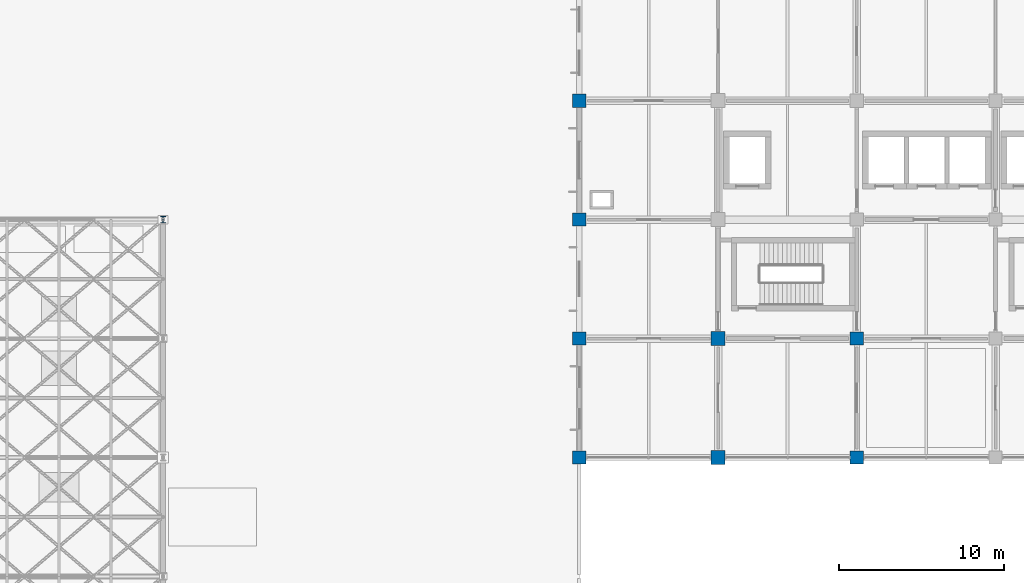
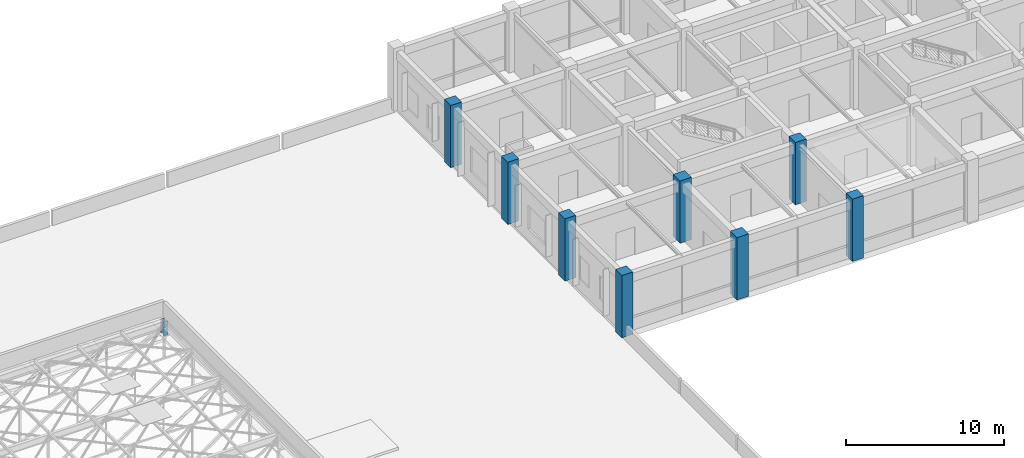
# One storey, part 2 of 45: 9 columns.
"""IFC4 building model written with IfcOpenShell, lengths in metres."""

from ifc_helpers import new_model, si_unit, derived_unit, direction, frame, origin, origin_2d, place, context, subcontext, project, spatial, rectangle, i_section, extrude, material, material_profile, profile_set, type_object, element, save


model = new_model("IFC4")

# Units and contexts
model_context = context("Model", 3, precision=1e-05, world=origin(), true_north=direction((0.0, 1.0)))
body_context = subcontext(model_context, "Body", "Model", "MODEL_VIEW")
ifc_project = project(units=[si_unit("LENGTHUNIT", "METRE"), si_unit("AREAUNIT", "SQUARE_METRE"), si_unit("VOLUMEUNIT", "CUBIC_METRE"), si_unit("PLANEANGLEUNIT", "RADIAN"), si_unit("MASSUNIT", "GRAM", prefix="KILO"), derived_unit("THERMALTRANSMITTANCEUNIT", [(si_unit("MASSUNIT", "GRAM", prefix="KILO"), 1), (si_unit("TIMEUNIT", "SECOND"), -3), (si_unit("THERMODYNAMICTEMPERATUREUNIT", "KELVIN"), -1)])], contexts=[model_context])

# Site, building, storey
site_placement = place(None, origin())
site = spatial("IfcSite", under=ifc_project, at=site_placement, CompositionType="ELEMENT")
building_placement = place(site_placement, origin())
building = spatial("IfcBuilding", under=site, at=building_placement, Name="Veldstrom Oceanarium and Marine Research Institute", CompositionType="ELEMENT")
storey_placement = place(building_placement, frame((0.0, 0.0, 22.199951171875)))
storey = spatial("IfcBuildingStorey", under=building, at=storey_placement, Name="L04", CompositionType="ELEMENT", Elevation=22.199951171875)

# Columns
ifc_material_1 = material(Name="Concrete C50/60", Category="concrete")
ifc_material_profile_1 = material_profile(ifc_material_1, rectangle(XDim=0.85009765625, YDim=0.85009765625, at=origin_2d()), Name="RC-COL-850x850")
ifc_profile_set_1 = profile_set([ifc_material_profile_1], Name="Concrete C50/60")
column_type_1 = type_object("IfcColumnType", Name="STR-COL-C03", PredefinedType="COLUMN", material=ifc_profile_set_1)
for number, where, z_axis, x_axis, name in (
    (1, (75.60009765625, 43.199951171875, 0.0), (0.0, 0.0, 1.0), (1.0, 0.0, 0.0), "Column C03 10/G L04"),
    (2, (75.60009765625, 50.39990234375, 0.0), (0.0, 0.0, 1.0), (1.0, 0.0, 0.0), "Column C03 10/H L04"),
):
    element("IfcColumn", number, at=place(storey_placement, frame(where, z_axis=z_axis, x_axis=x_axis)), inside=storey, type_object=column_type_1, Name=name, PredefinedType="COLUMN", context=body_context, shape_type="SweptSolid", body=[
        extrude(rectangle(XDim=0.85009765625, YDim=0.85009765625, at=origin_2d()), origin(), (0.0, 0.0, 1.0), 4.800048828125),
    ])
ifc_material_2 = material(Name="Concrete C50/60", Category="concrete")
ifc_material_profile_2 = material_profile(ifc_material_2, rectangle(XDim=0.800048828125, YDim=0.800048828125, at=origin_2d()), Name="RC-COL-800x800")
ifc_profile_set_2 = profile_set([ifc_material_profile_2], Name="Concrete C50/60")
column_type_2 = type_object("IfcColumnType", Name="STR-COL-C04", PredefinedType="COLUMN", material=ifc_profile_set_2)
for number, where, z_axis, x_axis, name in (
    (3, (67.199951171875, 43.199951171875, 0.0), (0.0, 0.0, 1.0), (1.0, 0.0, 0.0), "Column C04 9/G L04"),
    (4, (67.199951171875, 50.39990234375, 0.0), (0.0, 0.0, 1.0), (1.0, 0.0, 0.0), "Column C04 9/H L04"),
    (5, (67.199951171875, 57.60009765625, 0.0), (0.0, 0.0, 1.0), (1.0, 0.0, 0.0), "Column C04 9/J L04"),
    (6, (67.199951171875, 64.800048828125, 0.0), (0.0, 0.0, 1.0), (1.0, 0.0, 0.0), "Column C04 9/K L04"),
    (7, (84.0, 43.199951171875, 0.0), (0.0, 0.0, 1.0), (1.0, 0.0, 0.0), "Column C04 11/G L04"),
    (8, (84.0, 50.39990234375, 0.0), (0.0, 0.0, 1.0), (1.0, 0.0, 0.0), "Column C04 11/H L04"),
):
    element("IfcColumn", number, at=place(storey_placement, frame(where, z_axis=z_axis, x_axis=x_axis)), inside=storey, type_object=column_type_2, Name=name, PredefinedType="COLUMN", context=body_context, shape_type="SweptSolid", body=[
        extrude(rectangle(XDim=0.800048828125, YDim=0.800048828125, at=origin_2d()), origin(), (0.0, 0.0, 1.0), 4.800048828125),
    ])
ifc_material_3 = material(Name="Steel S355JR", Category="steel")
ifc_material_profile_3 = material_profile(ifc_material_3, i_section(OverallWidth=0.300048828125, OverallDepth=0.39990234375, WebThickness=0.013427734375, FlangeThickness=0.02392578125, FilletRadius=0.027099609375, at=origin_2d()), Name="HEB 400")
ifc_profile_set_3 = profile_set([ifc_material_profile_3], Name="Steel S355JR")
column_type_3 = type_object("IfcColumnType", Name="STR-COL-C15", PredefinedType="COLUMN", material=ifc_profile_set_3)
column_placement = place(storey_placement, frame((42.0, 57.60009765625, 0.0), z_axis=(0.0, 0.0, 1.0), x_axis=(1.0, 0.0, 0.0)))
element("IfcColumn", 9, at=column_placement, inside=storey, type_object=column_type_3, Name="Roof Truss Pedestal Column 6/J", PredefinedType="COLUMN", context=body_context, shape_type="SweptSolid", body=[
    extrude(i_section(OverallWidth=0.300048828125, OverallDepth=0.39990234375, WebThickness=0.013427734375, FlangeThickness=0.02392578125, FilletRadius=0.027099609375, at=origin_2d()), origin(), (0.0, 0.0, 1.0), 1.110107421875),
])

save(model, "model.ifc")
